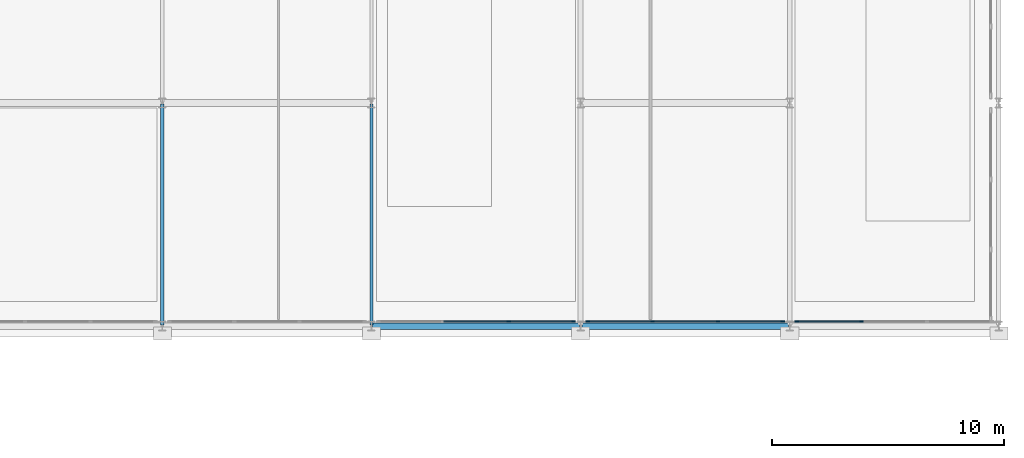
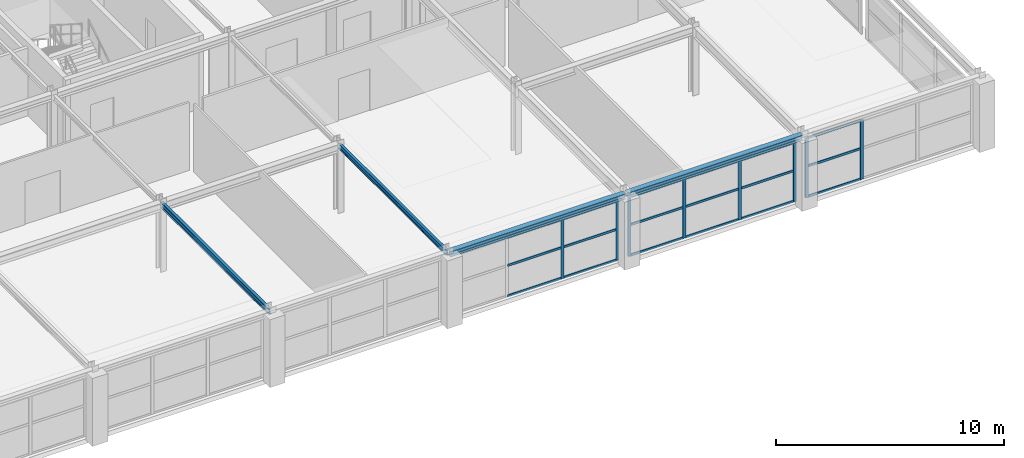
# One storey, part 26 of 52: 26 members, 4 beams, 3 elements without a shape of their own.
"""IFC4 building model written with IfcOpenShell, lengths in metres."""

import ifcopenshell
import ifcopenshell.guid

model = None  # the IFC model being written
_history = None  # IfcOwnerHistory: only IFC2X3 demands one
_inside = {}  # id of a spatial element -> (the spatial element, [elements in it])
_under = {}  # id of a project, library or spatial element -> (it, [spatial elements below it])
_declared = {}  # id of a project -> (the project, [libraries it declares])
_typed = {}  # id of a type object -> (the type object, [elements of that type])
_made_of = {}  # id of a material, layer set ... -> (it, [elements and type objects made of it])


def new_model(schema):
    """Start an empty IFC model of exactly this schema.

    Asked for "IFC4X3", IfcOpenShell would pick the latest addendum, in which some entities
    have other attributes; the version numbers below select the first issue.
    IFC2X3 requires an IfcOwnerHistory on every rooted entity: one is made here for all.
    """
    global model, _history
    if schema == "IFC4X3":
        model = ifcopenshell.file(schema_version=(4, 3, 0, 0))
    else:
        model = ifcopenshell.file(schema=schema)
    _inside.clear()
    _under.clear()
    _declared.clear()
    _typed.clear()
    _made_of.clear()
    _history = None
    if model.schema == "IFC2X3":
        org = make("IfcOrganization", Name="unknown")
        user = make(
            "IfcPersonAndOrganization",
            ThePerson=make("IfcPerson", FamilyName="unknown"),
            TheOrganization=org,
        )
        app = make(
            "IfcApplication",
            ApplicationDeveloper=org,
            Version="unknown",
            ApplicationFullName="unknown",
            ApplicationIdentifier="unknown",
        )
        _history = make(
            "IfcOwnerHistory",
            OwningUser=user,
            OwningApplication=app,
            ChangeAction="ADDED",
            CreationDate=0,
        )
    return model


def make(cls, **values):
    """One entity of the class cls with the attributes given. An attribute that is None is left unset."""
    return model.create_entity(
        cls, **{name: value for name, value in values.items() if value is not None}
    )


def rooted(cls, **values):
    """An entity with a GlobalId (a new one), such as an element, a storey or a relation."""
    return make(cls, GlobalId=ifcopenshell.guid.new(), OwnerHistory=_history, **values)


def si_unit(unit_type, name, prefix=None):
    """IfcSIUnit, for example si_unit("LENGTHUNIT", "METRE", prefix="MILLI")."""
    return make("IfcSIUnit", UnitType=unit_type, Prefix=prefix, Name=name)


def assignment(units):
    """IfcUnitAssignment: the units of a project."""
    return None if units is None else make("IfcUnitAssignment", Units=units)


def point(xyz):
    """IfcCartesianPoint."""
    return None if xyz is None else make("IfcCartesianPoint", Coordinates=xyz)


def direction(xyz):
    """IfcDirection."""
    return None if xyz is None else make("IfcDirection", DirectionRatios=xyz)


def frame(location, z_axis=None, x_axis=None):
    """IfcAxis2Placement3D, a coordinate frame: its origin and axes. An axis left out is left unset."""
    return make(
        "IfcAxis2Placement3D",
        Location=point(location),
        Axis=direction(z_axis),
        RefDirection=direction(x_axis),
    )


def frame_2d(location, x_axis=None):
    """IfcAxis2Placement2D, a coordinate frame in the plane: its origin and x axis."""
    return make(
        "IfcAxis2Placement2D", Location=point(location), RefDirection=direction(x_axis)
    )


def origin():
    """The frame at (0, 0, 0) with its axes left unset."""
    return frame((0.0, 0.0, 0.0))


def origin_2d():
    """The frame at (0, 0) in the plane with its x axis left unset."""
    return frame_2d((0.0, 0.0))


def place(relative_to, where):
    """IfcLocalPlacement: puts the frame where relative to a parent placement (None: the world)."""
    return make(
        "IfcLocalPlacement", PlacementRelTo=relative_to, RelativePlacement=where
    )


def context(
    kind, dimensions, precision=None, world=None, true_north=None, identifier=None
):
    """IfcGeometricRepresentationContext, for example the 3D "Model" context."""
    return make(
        "IfcGeometricRepresentationContext",
        ContextIdentifier=identifier,
        ContextType=kind,
        CoordinateSpaceDimension=dimensions,
        Precision=precision,
        WorldCoordinateSystem=world,
        TrueNorth=true_north,
    )


def subcontext(parent, identifier, kind, view, scale=None):
    """IfcGeometricRepresentationSubContext, for example "Body" below "Model"."""
    return make(
        "IfcGeometricRepresentationSubContext",
        ContextIdentifier=identifier,
        ContextType=kind,
        ParentContext=parent,
        TargetScale=scale,
        TargetView=view,
    )


def project(units=None, contexts=None):
    """IfcProject with its units and contexts."""
    return rooted(
        "IfcProject",
        Name="project",
        RepresentationContexts=contexts,
        UnitsInContext=assignment(units),
    )


def spatial(cls, under=None, at=None, **own):
    """A site, building, storey or space (cls), placed at a placement, below another one or the project."""
    s = rooted(cls, ObjectPlacement=at, **own)
    if under is not None:
        _under.setdefault(under.id(), (under, []))[1].append(s)
    return s


def profile(cls, at=None, kind="AREA", **sizes):
    """A parametric profile (cls). Its sizes go by their IFC names, for example OverallWidth=200.0."""
    return make(cls, ProfileType=kind, Position=at, **sizes)


def rectangle(**sizes):
    """IfcRectangleProfileDef."""
    return profile("IfcRectangleProfileDef", **sizes)


def i_section(**sizes):
    """IfcIShapeProfileDef."""
    return profile("IfcIShapeProfileDef", **sizes)


def extrude(swept, where, along, depth):
    """IfcExtrudedAreaSolid: the profile swept, set in the frame where, extruded along a direction by depth."""
    return make(
        "IfcExtrudedAreaSolid",
        SweptArea=swept,
        Position=where,
        ExtrudedDirection=direction(along),
        Depth=depth,
    )


def shape(context_of_items, identifier, shape_type, items):
    """IfcShapeRepresentation: the items that make up one representation, for example the "Body"."""
    return make(
        "IfcShapeRepresentation",
        ContextOfItems=context_of_items,
        RepresentationIdentifier=identifier,
        RepresentationType=shape_type,
        Items=items,
    )


def material(Name=None, Category=None):
    """IfcMaterial."""
    return make("IfcMaterial", Name=Name, Category=Category)


def layer(
    of_material, thickness, ventilated=None, Name=None, Category=None, Priority=None
):
    """IfcMaterialLayer: one layer of a wall or slab, of a material (None: an air gap)."""
    return make(
        "IfcMaterialLayer",
        Material=of_material,
        LayerThickness=thickness,
        IsVentilated=ventilated,
        Name=Name,
        Category=Category,
        Priority=Priority,
    )


def layer_set(layers, Name=None):
    """IfcMaterialLayerSet."""
    return make("IfcMaterialLayerSet", MaterialLayers=layers, LayerSetName=Name)


def material_profile(
    of_material, cross_section, Name=None, Category=None, Priority=None
):
    """IfcMaterialProfile: a cross section and its material."""
    return make(
        "IfcMaterialProfile",
        Name=Name,
        Material=of_material,
        Profile=cross_section,
        Priority=Priority,
        Category=Category,
    )


def profile_set(profiles, Name=None, composite=None):
    """IfcMaterialProfileSet."""
    return make(
        "IfcMaterialProfileSet",
        Name=Name,
        MaterialProfiles=profiles,
        CompositeProfile=composite,
    )


def made_of(thing, what):
    """Note that an element or type object is made of a material, layer set ...; save() writes the relation."""
    if what is not None:
        _made_of.setdefault(what.id(), (what, []))[1].append(thing)
    return thing


def type_object(cls, material=None, **own):
    """A type object (cls), such as IfcWallType, which elements share."""
    return made_of(rooted(cls, **own), material)


def element(
    cls,
    number,
    at=None,
    inside=None,
    cuts=None,
    type_object=None,
    material=None,
    context=None,
    identifier="Body",
    shape_type=None,
    held_by="IfcProductDefinitionShape",
    body=None,
    shapes=None,
    **own,
):
    """One element of the class cls, such as IfcWall. Its Tag is "e" and its number.

    at: its placement. inside: the storey or other place that contains it. cuts: it is an
    opening in that element (IfcRelVoidsElement). A single representation is given by context,
    identifier, shape_type and body (its items); several are given by shapes. held_by: the class
    of the entity that holds the representations. save() writes the other relations.
    """
    e = rooted(cls, Tag="e%d" % number, ObjectPlacement=at, **own)
    if body is not None:
        shapes = [shape(context, identifier, shape_type, body)]
    if shapes is not None:
        e.Representation = make(held_by, Representations=shapes)
    if inside is not None:
        _inside.setdefault(inside.id(), (inside, []))[1].append(e)
    if cuts is not None:
        rooted(
            "IfcRelVoidsElement", RelatingBuildingElement=cuts, RelatedOpeningElement=e
        )
    if type_object is not None:
        _typed.setdefault(type_object.id(), (type_object, []))[1].append(e)
    return made_of(e, material)


def aggregate(whole, parts):
    """IfcRelAggregates: a whole, such as a stair, and the parts it consists of."""
    return rooted("IfcRelAggregates", RelatingObject=whole, RelatedObjects=parts)


def save(model, path):
    """Write the relations noted so far, then the file.

    IfcRelAggregates (storeys below a building ...), IfcRelContainedInSpatialStructure (elements
    in a storey), IfcRelDefinesByType, IfcRelAssociatesMaterial and IfcRelDeclares: one each for
    every whole, place, type object, material and project.
    """
    for whole, parts in _under.values():
        aggregate(whole, parts)
    for where, things in _inside.values():
        rooted(
            "IfcRelContainedInSpatialStructure",
            RelatedElements=things,
            RelatingStructure=where,
        )
    for kind, things in _typed.values():
        rooted("IfcRelDefinesByType", RelatedObjects=things, RelatingType=kind)
    for what, things in _made_of.values():
        rooted("IfcRelAssociatesMaterial", RelatedObjects=things, RelatingMaterial=what)
    for by, libraries in _declared.values():
        rooted("IfcRelDeclares", RelatingContext=by, RelatedDefinitions=libraries)
    model.write(path)


model = new_model("IFC4")

# Units and contexts
model_context = context("Model", 3, precision=1e-05, world=origin(), true_north=direction((0.0, 1.0)))
body_context = subcontext(model_context, "Body", "Model", "MODEL_VIEW")
ifc_project = project(units=[si_unit("LENGTHUNIT", "METRE"), si_unit("AREAUNIT", "SQUARE_METRE"), si_unit("VOLUMEUNIT", "CUBIC_METRE"), si_unit("PLANEANGLEUNIT", "RADIAN"), si_unit("MASSUNIT", "GRAM", prefix="KILO")], contexts=[model_context])

# Site, building, storey
site_placement = place(None, origin())
site = spatial("IfcSite", under=ifc_project, at=site_placement, CompositionType="ELEMENT")
building_placement = place(site_placement, origin())
building = spatial("IfcBuilding", under=site, at=building_placement, Name="Myrtia Square Station", CompositionType="ELEMENT")
storey_placement = place(building_placement, frame((0.0, 0.0, 15.0)))
storey = spatial("IfcBuildingStorey", under=building, at=storey_placement, Name="L03", CompositionType="ELEMENT", Elevation=15.0)

# Beams
ifc_material_1 = material(Name="Steel S355", Category="steel")
ifc_material_profile_1 = material_profile(ifc_material_1, i_section(OverallWidth=0.135009765625, OverallDepth=0.27001953125, WebThickness=0.006591796875, FlangeThickness=0.01025390625, FilletRadius=0.014892578125, at=origin_2d()), Name="IPE 270")
ifc_profile_set_1 = profile_set([ifc_material_profile_1], Name="Steel S355")
beam_type_1 = type_object("IfcBeamType", Name="BM-IPE270", PredefinedType="BEAM", material=ifc_profile_set_1)
beam_1_placement = place(storey_placement, frame((162.0, 86.449951171875, 3.52001953125), z_axis=(0.0, 1.0, 0.0), x_axis=(-1.0, 0.0, 0.0)))
element("IfcBeam", 1, at=beam_1_placement, inside=storey, type_object=beam_type_1, Name="Structural girder BMY-L03-0854", PredefinedType="BEAM", context=body_context, shape_type="SweptSolid", body=[
    extrude(i_section(OverallWidth=0.135009765625, OverallDepth=0.27001953125, WebThickness=0.006591796875, FlangeThickness=0.01025390625, FilletRadius=0.014892578125, at=origin_2d()), origin(), (0.0, 0.0, 1.0), 9.5),
])
ifc_material_profile_2 = material_profile(ifc_material_1, i_section(OverallWidth=0.14990234375, OverallDepth=0.300048828125, WebThickness=0.007080078125, FlangeThickness=0.0107421875, FilletRadius=0.014892578125, at=origin_2d()), Name="IPE 300")
ifc_profile_set_2 = profile_set([ifc_material_profile_2], Name="Steel S355")
beam_type_2 = type_object("IfcBeamType", Name="BM-IPE300", PredefinedType="BEAM", material=ifc_profile_set_2)
beam_2_placement = place(storey_placement, frame((153.0, 86.449951171875, 3.5048828125), z_axis=(0.0, 1.0, 0.0), x_axis=(-1.0, 0.0, 0.0)))
element("IfcBeam", 2, at=beam_2_placement, inside=storey, type_object=beam_type_2, Name="Structural girder BMY-L03-0850", PredefinedType="BEAM", context=body_context, shape_type="SweptSolid", body=[
    extrude(i_section(OverallWidth=0.14990234375, OverallDepth=0.300048828125, WebThickness=0.007080078125, FlangeThickness=0.0107421875, FilletRadius=0.014892578125, at=origin_2d()), origin(), (0.0, 0.0, 1.0), 9.5),
])

# Curtain wall, members
ifc_material_2 = material(Name="Dark bronze anodised aluminium", Category="aluminium")
ifc_layer = layer(ifc_material_2, 0.159912109375, Name="Dark bronze anodised aluminium")
ifc_layer_set = layer_set([ifc_layer], Name="Dark bronze anodised aluminium")
curtain_wall_type = type_object("IfcCurtainWallType", Name="CW-TYPE-41-845x320", PredefinedType="USERDEFINED", material=ifc_layer_set)
curtain_wall_1_placement = place(storey_placement, origin())
curtain_wall_1 = element("IfcCurtainWall", 3, at=curtain_wall_1_placement, inside=storey, type_object=curtain_wall_type, Name="Concourse curtain wall CW-L03-138", ObjectType="CONCOURSE CURTAIN WALL", PredefinedType="USERDEFINED")
ifc_material_profile_3 = material_profile(ifc_material_2, rectangle(XDim=0.06005859375, YDim=0.159912109375, at=origin_2d()), Name="ALU-M 60x160")
ifc_profile_set_3 = profile_set([ifc_material_profile_3], Name="Dark bronze anodised aluminium")
member_type_1 = type_object("IfcMemberType", Name="CWM-60x160", PredefinedType="MULLION", material=ifc_profile_set_3)
member_1_placement = place(storey_placement, frame((167.908447265625, 86.60009765625, 0.0), z_axis=(0.0, 0.0, 1.0), x_axis=(0.0, 1.0, 0.0)))
member_1 = element("IfcMember", 4, at=member_1_placement, type_object=member_type_1, Name="CW-138 mullion 3", PredefinedType="MULLION", context=body_context, shape_type="SweptSolid", body=[
    extrude(rectangle(XDim=0.06005859375, YDim=0.159912109375, at=origin_2d()), origin(), (0.0, 0.0, 1.0), 3.199951171875),
])
member_2_placement = place(storey_placement, frame((170.695068359375, 86.60009765625, 0.0), z_axis=(0.0, 0.0, 1.0), x_axis=(0.0, 1.0, 0.0)))
member_2 = element("IfcMember", 5, at=member_2_placement, type_object=member_type_1, Name="CW-138 mullion 4", PredefinedType="MULLION", context=body_context, shape_type="SweptSolid", body=[
    extrude(rectangle(XDim=0.06005859375, YDim=0.159912109375, at=origin_2d()), origin(), (0.0, 0.0, 1.0), 3.199951171875),
])

curtain_wall_2_placement = place(storey_placement, origin())
curtain_wall_2 = element("IfcCurtainWall", 6, at=curtain_wall_2_placement, inside=storey, type_object=curtain_wall_type, Name="Concourse curtain wall CW-L03-143", ObjectType="CONCOURSE CURTAIN WALL", PredefinedType="USERDEFINED")
member_3_placement = place(storey_placement, frame((171.304931640625, 86.60009765625, 0.0), z_axis=(0.0, 0.0, 1.0), x_axis=(0.0, 1.0, 0.0)))
member_3 = element("IfcMember", 7, at=member_3_placement, type_object=member_type_1, Name="CW-143 mullion 1", PredefinedType="MULLION", context=body_context, shape_type="SweptSolid", body=[
    extrude(rectangle(XDim=0.06005859375, YDim=0.159912109375, at=origin_2d()), origin(), (0.0, 0.0, 1.0), 3.199951171875),
])
member_4_placement = place(storey_placement, frame((174.091552734375, 86.60009765625, 0.0), z_axis=(0.0, 0.0, 1.0), x_axis=(0.0, 1.0, 0.0)))
member_4 = element("IfcMember", 8, at=member_4_placement, type_object=member_type_1, Name="CW-143 mullion 2", PredefinedType="MULLION", context=body_context, shape_type="SweptSolid", body=[
    extrude(rectangle(XDim=0.06005859375, YDim=0.159912109375, at=origin_2d()), origin(), (0.0, 0.0, 1.0), 3.199951171875),
])
member_5_placement = place(storey_placement, frame((176.908447265625, 86.60009765625, 0.0), z_axis=(0.0, 0.0, 1.0), x_axis=(0.0, 1.0, 0.0)))
member_5 = element("IfcMember", 9, at=member_5_placement, type_object=member_type_1, Name="CW-143 mullion 3", PredefinedType="MULLION", context=body_context, shape_type="SweptSolid", body=[
    extrude(rectangle(XDim=0.06005859375, YDim=0.159912109375, at=origin_2d()), origin(), (0.0, 0.0, 1.0), 3.199951171875),
])
member_6_placement = place(storey_placement, frame((179.695068359375, 86.60009765625, 0.0), z_axis=(0.0, 0.0, 1.0), x_axis=(0.0, 1.0, 0.0)))
member_6 = element("IfcMember", 10, at=member_6_placement, type_object=member_type_1, Name="CW-143 mullion 4", PredefinedType="MULLION", context=body_context, shape_type="SweptSolid", body=[
    extrude(rectangle(XDim=0.06005859375, YDim=0.159912109375, at=origin_2d()), origin(), (0.0, 0.0, 1.0), 3.199951171875),
])

curtain_wall_3_placement = place(storey_placement, origin())
curtain_wall_3 = element("IfcCurtainWall", 11, at=curtain_wall_3_placement, inside=storey, type_object=curtain_wall_type, Name="Concourse curtain wall CW-L03-148", ObjectType="CONCOURSE CURTAIN WALL", PredefinedType="USERDEFINED")
member_7_placement = place(storey_placement, frame((180.304931640625, 86.60009765625, 0.0), z_axis=(0.0, 0.0, 1.0), x_axis=(0.0, 1.0, 0.0)))
member_7 = element("IfcMember", 12, at=member_7_placement, type_object=member_type_1, Name="CW-148 mullion 1", PredefinedType="MULLION", context=body_context, shape_type="SweptSolid", body=[
    extrude(rectangle(XDim=0.06005859375, YDim=0.159912109375, at=origin_2d()), origin(), (0.0, 0.0, 1.0), 3.199951171875),
])
member_8_placement = place(storey_placement, frame((183.091552734375, 86.60009765625, 0.0), z_axis=(0.0, 0.0, 1.0), x_axis=(0.0, 1.0, 0.0)))
member_8 = element("IfcMember", 13, at=member_8_placement, type_object=member_type_1, Name="CW-148 mullion 2", PredefinedType="MULLION", context=body_context, shape_type="SweptSolid", body=[
    extrude(rectangle(XDim=0.06005859375, YDim=0.159912109375, at=origin_2d()), origin(), (0.0, 0.0, 1.0), 3.199951171875),
])

# Member
ifc_material_profile_4 = material_profile(ifc_material_2, rectangle(XDim=0.06005859375, YDim=0.1201171875, at=origin_2d()), Name="ALU-T 60x120")
ifc_profile_set_4 = profile_set([ifc_material_profile_4], Name="Dark bronze anodised aluminium")
member_type_2 = type_object("IfcMemberType", Name="CWT-60x120", PredefinedType="USERDEFINED", material=ifc_profile_set_4)
member_9_placement = place(storey_placement, frame((165.12158203125, 86.60009765625, 0.030029296875), z_axis=(1.0, 0.0, 0.0), x_axis=(0.0, 1.0, 0.0)))
member_9 = element("IfcMember", 14, at=member_9_placement, type_object=member_type_2, Name="CW-138 transom 2.1", ObjectType="TRANSOM", PredefinedType="USERDEFINED", context=body_context, shape_type="SweptSolid", body=[
    extrude(rectangle(XDim=0.06005859375, YDim=0.1201171875, at=origin_2d()), origin(), (0.0, 0.0, 1.0), 2.7568359375),
])

member_10_placement = place(storey_placement, frame((165.12158203125, 86.60009765625, 1.6640625), z_axis=(1.0, 0.0, 0.0), x_axis=(0.0, 1.0, 0.0)))
member_10 = element("IfcMember", 15, at=member_10_placement, type_object=member_type_2, Name="CW-138 transom 2.2", ObjectType="TRANSOM", PredefinedType="USERDEFINED", context=body_context, shape_type="SweptSolid", body=[
    extrude(rectangle(XDim=0.06005859375, YDim=0.1201171875, at=origin_2d()), origin(), (0.0, 0.0, 1.0), 2.7568359375),
])

member_11_placement = place(storey_placement, frame((165.12158203125, 86.60009765625, 3.169921875), z_axis=(1.0, 0.0, 0.0), x_axis=(0.0, 1.0, 0.0)))
member_11 = element("IfcMember", 16, at=member_11_placement, type_object=member_type_2, Name="CW-138 transom 2.3", ObjectType="TRANSOM", PredefinedType="USERDEFINED", context=body_context, shape_type="SweptSolid", body=[
    extrude(rectangle(XDim=0.06005859375, YDim=0.1201171875, at=origin_2d()), origin(), (0.0, 0.0, 1.0), 2.7568359375),
])

member_12_placement = place(storey_placement, frame((167.938232421875, 86.60009765625, 0.030029296875), z_axis=(1.0, 0.0, 0.0), x_axis=(0.0, 1.0, 0.0)))
member_12 = element("IfcMember", 17, at=member_12_placement, type_object=member_type_2, Name="CW-138 transom 3.1", ObjectType="TRANSOM", PredefinedType="USERDEFINED", context=body_context, shape_type="SweptSolid", body=[
    extrude(rectangle(XDim=0.06005859375, YDim=0.1201171875, at=origin_2d()), origin(), (0.0, 0.0, 1.0), 2.726806640625),
])

member_13_placement = place(storey_placement, frame((167.938232421875, 86.60009765625, 1.6640625), z_axis=(1.0, 0.0, 0.0), x_axis=(0.0, 1.0, 0.0)))
member_13 = element("IfcMember", 18, at=member_13_placement, type_object=member_type_2, Name="CW-138 transom 3.2", ObjectType="TRANSOM", PredefinedType="USERDEFINED", context=body_context, shape_type="SweptSolid", body=[
    extrude(rectangle(XDim=0.06005859375, YDim=0.1201171875, at=origin_2d()), origin(), (0.0, 0.0, 1.0), 2.726806640625),
])

member_14_placement = place(storey_placement, frame((167.938232421875, 86.60009765625, 3.169921875), z_axis=(1.0, 0.0, 0.0), x_axis=(0.0, 1.0, 0.0)))
member_14 = element("IfcMember", 19, at=member_14_placement, type_object=member_type_2, Name="CW-138 transom 3.3", ObjectType="TRANSOM", PredefinedType="USERDEFINED", context=body_context, shape_type="SweptSolid", body=[
    extrude(rectangle(XDim=0.06005859375, YDim=0.1201171875, at=origin_2d()), origin(), (0.0, 0.0, 1.0), 2.726806640625),
])

aggregate(curtain_wall_1, [member_1, member_2, member_9, member_10, member_11, member_12, member_13, member_14])

member_15_placement = place(storey_placement, frame((171.3349609375, 86.60009765625, 0.030029296875), z_axis=(1.0, 0.0, 0.0), x_axis=(0.0, 1.0, 0.0)))
member_15 = element("IfcMember", 20, at=member_15_placement, type_object=member_type_2, Name="CW-143 transom 1.1", ObjectType="TRANSOM", PredefinedType="USERDEFINED", context=body_context, shape_type="SweptSolid", body=[
    extrude(rectangle(XDim=0.06005859375, YDim=0.1201171875, at=origin_2d()), origin(), (0.0, 0.0, 1.0), 2.726806640625),
])

member_16_placement = place(storey_placement, frame((171.3349609375, 86.60009765625, 1.6640625), z_axis=(1.0, 0.0, 0.0), x_axis=(0.0, 1.0, 0.0)))
member_16 = element("IfcMember", 21, at=member_16_placement, type_object=member_type_2, Name="CW-143 transom 1.2", ObjectType="TRANSOM", PredefinedType="USERDEFINED", context=body_context, shape_type="SweptSolid", body=[
    extrude(rectangle(XDim=0.06005859375, YDim=0.1201171875, at=origin_2d()), origin(), (0.0, 0.0, 1.0), 2.726806640625),
])

member_17_placement = place(storey_placement, frame((171.3349609375, 86.60009765625, 3.169921875), z_axis=(1.0, 0.0, 0.0), x_axis=(0.0, 1.0, 0.0)))
member_17 = element("IfcMember", 22, at=member_17_placement, type_object=member_type_2, Name="CW-143 transom 1.3", ObjectType="TRANSOM", PredefinedType="USERDEFINED", context=body_context, shape_type="SweptSolid", body=[
    extrude(rectangle(XDim=0.06005859375, YDim=0.1201171875, at=origin_2d()), origin(), (0.0, 0.0, 1.0), 2.726806640625),
])

member_18_placement = place(storey_placement, frame((174.12158203125, 86.60009765625, 0.030029296875), z_axis=(1.0, 0.0, 0.0), x_axis=(0.0, 1.0, 0.0)))
member_18 = element("IfcMember", 23, at=member_18_placement, type_object=member_type_2, Name="CW-143 transom 2.1", ObjectType="TRANSOM", PredefinedType="USERDEFINED", context=body_context, shape_type="SweptSolid", body=[
    extrude(rectangle(XDim=0.06005859375, YDim=0.1201171875, at=origin_2d()), origin(), (0.0, 0.0, 1.0), 2.7568359375),
])

member_19_placement = place(storey_placement, frame((174.12158203125, 86.60009765625, 1.6640625), z_axis=(1.0, 0.0, 0.0), x_axis=(0.0, 1.0, 0.0)))
member_19 = element("IfcMember", 24, at=member_19_placement, type_object=member_type_2, Name="CW-143 transom 2.2", ObjectType="TRANSOM", PredefinedType="USERDEFINED", context=body_context, shape_type="SweptSolid", body=[
    extrude(rectangle(XDim=0.06005859375, YDim=0.1201171875, at=origin_2d()), origin(), (0.0, 0.0, 1.0), 2.7568359375),
])

member_20_placement = place(storey_placement, frame((174.12158203125, 86.60009765625, 3.169921875), z_axis=(1.0, 0.0, 0.0), x_axis=(0.0, 1.0, 0.0)))
member_20 = element("IfcMember", 25, at=member_20_placement, type_object=member_type_2, Name="CW-143 transom 2.3", ObjectType="TRANSOM", PredefinedType="USERDEFINED", context=body_context, shape_type="SweptSolid", body=[
    extrude(rectangle(XDim=0.06005859375, YDim=0.1201171875, at=origin_2d()), origin(), (0.0, 0.0, 1.0), 2.7568359375),
])

member_21_placement = place(storey_placement, frame((176.938232421875, 86.60009765625, 0.030029296875), z_axis=(1.0, 0.0, 0.0), x_axis=(0.0, 1.0, 0.0)))
member_21 = element("IfcMember", 26, at=member_21_placement, type_object=member_type_2, Name="CW-143 transom 3.1", ObjectType="TRANSOM", PredefinedType="USERDEFINED", context=body_context, shape_type="SweptSolid", body=[
    extrude(rectangle(XDim=0.06005859375, YDim=0.1201171875, at=origin_2d()), origin(), (0.0, 0.0, 1.0), 2.726806640625),
])

member_22_placement = place(storey_placement, frame((176.938232421875, 86.60009765625, 1.6640625), z_axis=(1.0, 0.0, 0.0), x_axis=(0.0, 1.0, 0.0)))
member_22 = element("IfcMember", 27, at=member_22_placement, type_object=member_type_2, Name="CW-143 transom 3.2", ObjectType="TRANSOM", PredefinedType="USERDEFINED", context=body_context, shape_type="SweptSolid", body=[
    extrude(rectangle(XDim=0.06005859375, YDim=0.1201171875, at=origin_2d()), origin(), (0.0, 0.0, 1.0), 2.726806640625),
])

member_23_placement = place(storey_placement, frame((176.938232421875, 86.60009765625, 3.169921875), z_axis=(1.0, 0.0, 0.0), x_axis=(0.0, 1.0, 0.0)))
member_23 = element("IfcMember", 28, at=member_23_placement, type_object=member_type_2, Name="CW-143 transom 3.3", ObjectType="TRANSOM", PredefinedType="USERDEFINED", context=body_context, shape_type="SweptSolid", body=[
    extrude(rectangle(XDim=0.06005859375, YDim=0.1201171875, at=origin_2d()), origin(), (0.0, 0.0, 1.0), 2.726806640625),
])

aggregate(curtain_wall_2, [member_3, member_4, member_5, member_6, member_15, member_16, member_17, member_18, member_19, member_20, member_21, member_22, member_23])

member_24_placement = place(storey_placement, frame((180.3349609375, 86.60009765625, 0.030029296875), z_axis=(1.0, 0.0, 0.0), x_axis=(0.0, 1.0, 0.0)))
member_24 = element("IfcMember", 29, at=member_24_placement, type_object=member_type_2, Name="CW-148 transom 1.1", ObjectType="TRANSOM", PredefinedType="USERDEFINED", context=body_context, shape_type="SweptSolid", body=[
    extrude(rectangle(XDim=0.06005859375, YDim=0.1201171875, at=origin_2d()), origin(), (0.0, 0.0, 1.0), 2.726806640625),
])

member_25_placement = place(storey_placement, frame((180.3349609375, 86.60009765625, 1.6640625), z_axis=(1.0, 0.0, 0.0), x_axis=(0.0, 1.0, 0.0)))
member_25 = element("IfcMember", 30, at=member_25_placement, type_object=member_type_2, Name="CW-148 transom 1.2", ObjectType="TRANSOM", PredefinedType="USERDEFINED", context=body_context, shape_type="SweptSolid", body=[
    extrude(rectangle(XDim=0.06005859375, YDim=0.1201171875, at=origin_2d()), origin(), (0.0, 0.0, 1.0), 2.726806640625),
])

member_26_placement = place(storey_placement, frame((180.3349609375, 86.60009765625, 3.169921875), z_axis=(1.0, 0.0, 0.0), x_axis=(0.0, 1.0, 0.0)))
member_26 = element("IfcMember", 31, at=member_26_placement, type_object=member_type_2, Name="CW-148 transom 1.3", ObjectType="TRANSOM", PredefinedType="USERDEFINED", context=body_context, shape_type="SweptSolid", body=[
    extrude(rectangle(XDim=0.06005859375, YDim=0.1201171875, at=origin_2d()), origin(), (0.0, 0.0, 1.0), 2.726806640625),
])

aggregate(curtain_wall_3, [member_7, member_8, member_24, member_25, member_26])

# Beams
ifc_material_profile_5 = material_profile(ifc_material_1, i_section(OverallWidth=0.280029296875, OverallDepth=0.280029296875, WebThickness=0.010498046875, FlangeThickness=0.01806640625, FilletRadius=0.02392578125, at=origin_2d()), Name="HEB 280")
ifc_profile_set_5 = profile_set([ifc_material_profile_5], Name="Steel S355")
beam_type_3 = type_object("IfcBeamType", Name="SPN-HEB280", PredefinedType="SPANDREL", material=ifc_profile_set_5)
for number, where, z_axis, x_axis, name in (
    (32, (162.050048828125, 86.39990234375, 3.52001953125), (1.0, 0.0, 0.0), (0.0, 1.0, 0.0), "Structural girder SPN-L03-0239"),
    (33, (171.050048828125, 86.39990234375, 3.52001953125), (1.0, 0.0, 0.0), (0.0, 1.0, 0.0), "Structural girder SPN-L03-0240"),
):
    element("IfcBeam", number, at=place(storey_placement, frame(where, z_axis=z_axis, x_axis=x_axis)), inside=storey, type_object=beam_type_3, Name=name, PredefinedType="SPANDREL", context=body_context, shape_type="SweptSolid", body=[
        extrude(i_section(OverallWidth=0.280029296875, OverallDepth=0.280029296875, WebThickness=0.010498046875, FlangeThickness=0.01806640625, FilletRadius=0.02392578125, at=origin_2d()), origin(), (0.0, 0.0, 1.0), 8.89990234375),
    ])

save(model, "model.ifc")
